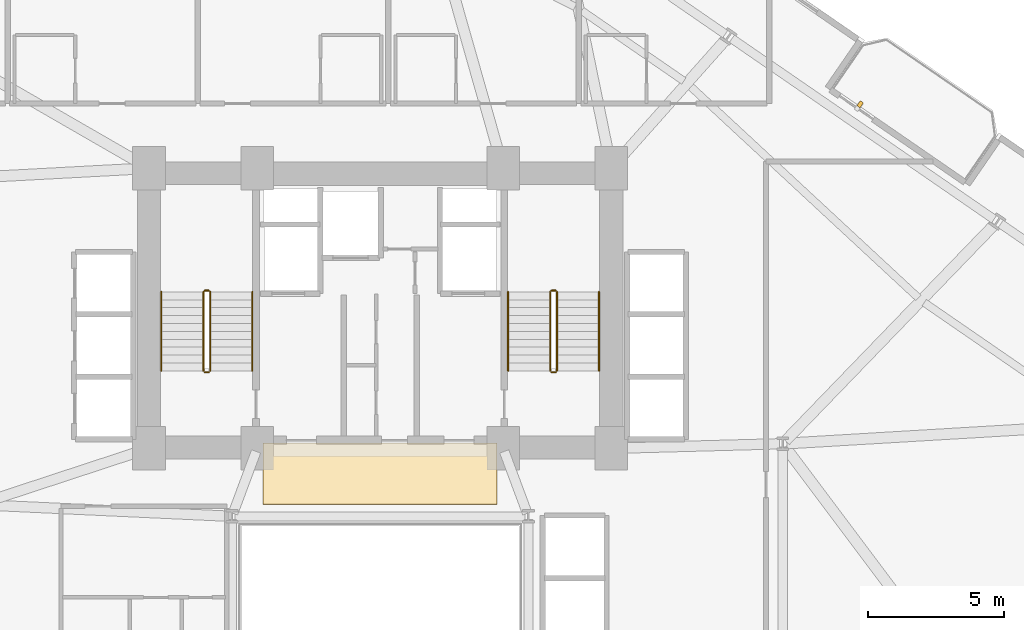
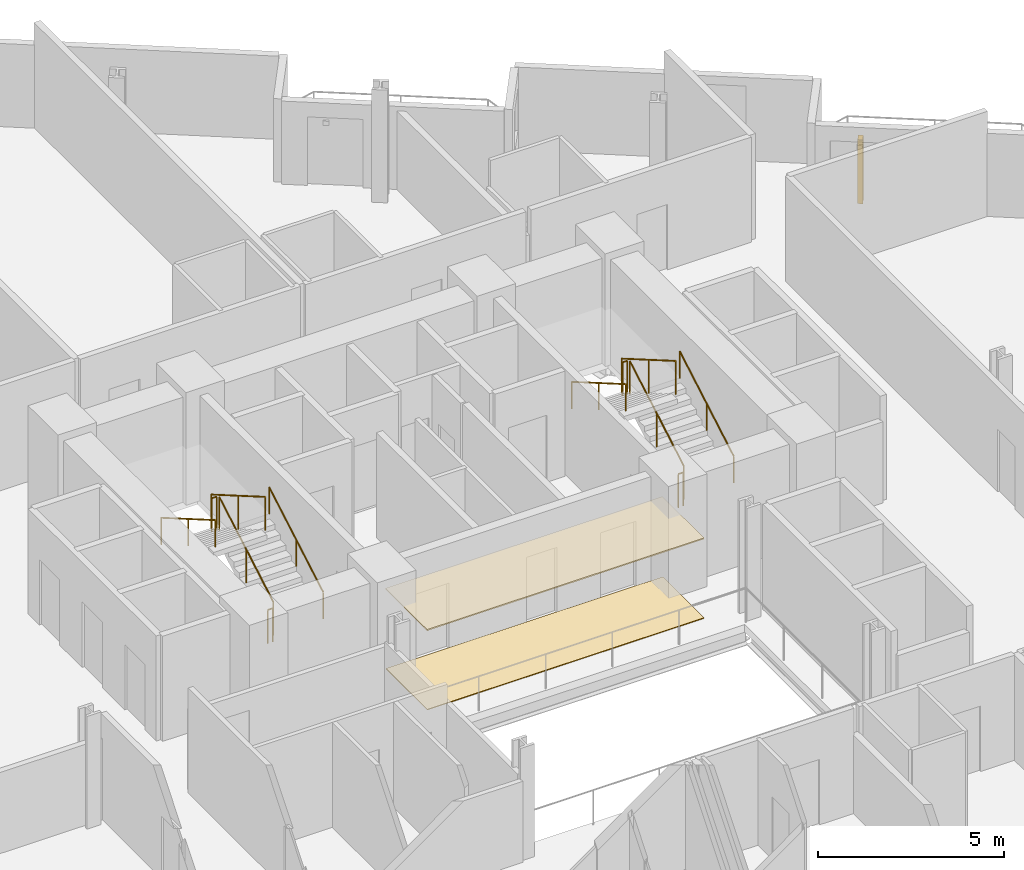
# One storey, part 26 of 27: 12 railings, 2 coverings, 1 shading device.
"""IFC4 building model written with IfcOpenShell, lengths in metres."""

from ifc_helpers import new_model, si_unit, direction, frame, origin, origin_2d, place, context, subcontext, project, spatial, rectangle, circle, extrude, source, transform, mapped, material, layer, layer_set, type_object, element, save


model = new_model("IFC4")

# Units and contexts
model_context = context("Model", 3, precision=1e-05, world=origin(), true_north=direction((0.0, 1.0)))
body_context = subcontext(model_context, "Body", "Model", "MODEL_VIEW")
ifc_project = project(units=[si_unit("LENGTHUNIT", "METRE"), si_unit("AREAUNIT", "SQUARE_METRE"), si_unit("VOLUMEUNIT", "CUBIC_METRE"), si_unit("PLANEANGLEUNIT", "RADIAN"), si_unit("MASSUNIT", "GRAM", prefix="KILO")], contexts=[model_context])

# Site, building, storey
site_placement = place(None, origin())
site = spatial("IfcSite", under=ifc_project, at=site_placement, CompositionType="ELEMENT")
building_placement = place(site_placement, origin())
building = spatial("IfcBuilding", under=site, at=building_placement, Name="Varnelok Gate Tower", CompositionType="ELEMENT")
storey_placement = place(building_placement, frame((0.0, 0.0, 30.699951171875)))
storey = spatial("IfcBuildingStorey", under=building, at=storey_placement, Name="L06", CompositionType="ELEMENT", Elevation=30.699951171875)

# Railings
ifc_material_1 = material(Name="Brushed Stainless Steel AISI 316", Category="steel")
railing_type_1 = type_object("IfcRailingType", Name="RL-HANDRAIL-900", PredefinedType="HANDRAIL", material=ifc_material_1)
railing_1_placement = place(storey_placement, frame((34.5, 31.60009765625, 0.168212890625)))
element("IfcRailing", 1, at=railing_1_placement, inside=storey, type_object=railing_type_1, Name="L06 ST-1 stair handrail 1", PredefinedType="HANDRAIL", context=body_context, shape_type="SweptSolid", body=[
    extrude(circle(Radius=0.02392578125, at=origin_2d()), frame((0.0, 0.0, 0.8759765625), z_axis=(0.0, 0.865038774852, 0.501705010941), x_axis=(-1.0, 0.0, 0.0)), (0.0, 0.0, 1.0), 3.352294921875),
    extrude(circle(Radius=0.02099609375, at=origin_2d()), origin(), (0.0, 0.0, 1.0), 0.851806640625),
    extrude(circle(Radius=0.02099609375, at=origin_2d()), frame((0.0, 1.449951171875, 0.8408203125)), (0.0, 0.0, 1.0), 0.851806640625),
    extrude(circle(Radius=0.02099609375, at=origin_2d()), frame((0.0, 2.89990234375, 1.681884765625)), (0.0, 0.0, 1.0), 0.851806640625),
])
railing_2_placement = place(storey_placement, frame((31.14990234375, 34.5, 2.018310546875)))
element("IfcRailing", 2, at=railing_2_placement, inside=storey, type_object=railing_type_1, Name="L06 ST-1 stair handrail 2", PredefinedType="HANDRAIL", context=body_context, shape_type="SweptSolid", body=[
    extrude(circle(Radius=0.02392578125, at=origin_2d()), frame((0.0, 0.0, 0.8759765625), z_axis=(0.0, -0.86507038078, 0.501650512107), x_axis=(1.0, 0.0, 0.0)), (0.0, 0.0, 1.0), 3.352294921875),
    extrude(circle(Radius=0.02099609375, at=origin_2d()), origin(), (0.0, 0.0, 1.0), 0.851806640625),
    extrude(circle(Radius=0.02099609375, at=origin_2d()), frame((0.0, -1.449951171875, 0.8408203125)), (0.0, 0.0, 1.0), 0.851806640625),
    extrude(circle(Radius=0.02099609375, at=origin_2d()), frame((0.0, -2.89990234375, 1.681640625)), (0.0, 0.0, 1.0), 0.851806640625),
])
railing_3_placement = place(storey_placement, frame((47.25, 31.60009765625, 0.168212890625)))
element("IfcRailing", 3, at=railing_3_placement, inside=storey, type_object=railing_type_1, Name="L06 ST-2 stair handrail 1", PredefinedType="HANDRAIL", context=body_context, shape_type="SweptSolid", body=[
    extrude(circle(Radius=0.02392578125, at=origin_2d()), frame((0.0, 0.0, 0.8759765625), z_axis=(0.0, 0.865038774852, 0.501705010941), x_axis=(-1.0, 0.0, 0.0)), (0.0, 0.0, 1.0), 3.352294921875),
    extrude(circle(Radius=0.02099609375, at=origin_2d()), origin(), (0.0, 0.0, 1.0), 0.851806640625),
    extrude(circle(Radius=0.02099609375, at=origin_2d()), frame((0.0, 1.449951171875, 0.8408203125)), (0.0, 0.0, 1.0), 0.851806640625),
    extrude(circle(Radius=0.02099609375, at=origin_2d()), frame((0.0, 2.89990234375, 1.681884765625)), (0.0, 0.0, 1.0), 0.851806640625),
])
railing_4_placement = place(storey_placement, frame((43.89990234375, 34.5, 2.018310546875)))
element("IfcRailing", 4, at=railing_4_placement, inside=storey, type_object=railing_type_1, Name="L06 ST-2 stair handrail 2", PredefinedType="HANDRAIL", context=body_context, shape_type="SweptSolid", body=[
    extrude(circle(Radius=0.02392578125, at=origin_2d()), frame((0.0, 0.0, 0.8759765625), z_axis=(0.0, -0.86507038078, 0.501650512107), x_axis=(1.0, 0.0, 0.0)), (0.0, 0.0, 1.0), 3.352294921875),
    extrude(circle(Radius=0.02099609375, at=origin_2d()), origin(), (0.0, 0.0, 1.0), 0.851806640625),
    extrude(circle(Radius=0.02099609375, at=origin_2d()), frame((0.0, -1.449951171875, 0.8408203125)), (0.0, 0.0, 1.0), 0.851806640625),
    extrude(circle(Radius=0.02099609375, at=origin_2d()), frame((0.0, -2.89990234375, 1.681640625)), (0.0, 0.0, 1.0), 0.851806640625),
])
ifc_material_2 = material(Name="Galvanized Steel Grade S350GD", Category="steel")
railing_type_2 = type_object("IfcRailingType", Name="RL-STAIR-GUARD1120", PredefinedType="GUARDRAIL", material=ifc_material_2)
railing_5_placement = place(storey_placement, frame((32.949951171875, 31.60009765625, 0.168212890625)))
element("IfcRailing", 5, at=railing_5_placement, inside=storey, type_object=railing_type_2, Name="L06 ST-1 stair guard 1", PredefinedType="GUARDRAIL", context=body_context, shape_type="SweptSolid", body=[
    extrude(circle(Radius=0.02392578125, at=origin_2d()), frame((0.0, 0.0, 1.09619140625), z_axis=(0.0, 0.865038774852, 0.501705010941), x_axis=(-1.0, 0.0, 0.0)), (0.0, 0.0, 1.0), 3.352294921875),
    extrude(circle(Radius=0.02099609375, at=origin_2d()), origin(), (0.0, 0.0, 1.0), 1.072021484375),
    extrude(circle(Radius=0.02099609375, at=origin_2d()), frame((0.0, 1.449951171875, 0.8408203125)), (0.0, 0.0, 1.0), 1.072021484375),
    extrude(circle(Radius=0.02099609375, at=origin_2d()), frame((0.0, 2.89990234375, 1.681884765625)), (0.0, 0.0, 1.0), 1.072021484375),
])
railing_6_placement = place(storey_placement, frame((32.89990234375, 34.550048828125, 1.85009765625)))
element("IfcRailing", 6, at=railing_6_placement, inside=storey, type_object=railing_type_2, Name="L06 ST-1 stair guard 2", PredefinedType="GUARDRAIL", context=body_context, shape_type="SweptSolid", body=[
    extrude(circle(Radius=0.02392578125, at=origin_2d()), frame((0.0, 0.0, 1.09619140625), z_axis=(-1.0, 0.0, 0.0), x_axis=(0.0, -1.0, 0.0)), (0.0, 0.0, 1.0), 0.14990234375),
    extrude(circle(Radius=0.02099609375, at=origin_2d()), origin(), (0.0, 0.0, 1.0), 1.072021484375),
    extrude(circle(Radius=0.02099609375, at=origin_2d()), frame((-0.14990234375, 0.0, 0.0)), (0.0, 0.0, 1.0), 1.072021484375),
])
railing_7_placement = place(storey_placement, frame((32.699951171875, 34.5, 2.018310546875)))
element("IfcRailing", 7, at=railing_7_placement, inside=storey, type_object=railing_type_2, Name="L06 ST-1 stair guard 3", PredefinedType="GUARDRAIL", context=body_context, shape_type="SweptSolid", body=[
    extrude(circle(Radius=0.02392578125, at=origin_2d()), frame((0.0, 0.0, 1.09619140625), z_axis=(0.0, -0.86507038078, 0.501650512107), x_axis=(1.0, 0.0, 0.0)), (0.0, 0.0, 1.0), 3.352294921875),
    extrude(circle(Radius=0.02099609375, at=origin_2d()), origin(), (0.0, 0.0, 1.0), 1.072021484375),
    extrude(circle(Radius=0.02099609375, at=origin_2d()), frame((0.0, -1.449951171875, 0.8408203125)), (0.0, 0.0, 1.0), 1.072021484375),
    extrude(circle(Radius=0.02099609375, at=origin_2d()), frame((0.0, -2.89990234375, 1.681640625)), (0.0, 0.0, 1.0), 1.072021484375),
])
railing_8_placement = place(storey_placement, frame((32.89990234375, 31.550048828125, 0.0)))
element("IfcRailing", 8, at=railing_8_placement, inside=storey, type_object=railing_type_2, Name="L06 ST-1 stair guard 4", PredefinedType="GUARDRAIL", context=body_context, shape_type="SweptSolid", body=[
    extrude(circle(Radius=0.02392578125, at=origin_2d()), frame((0.0, 0.0, 1.09619140625), z_axis=(-1.0, 0.0, 0.0), x_axis=(0.0, -1.0, 0.0)), (0.0, 0.0, 1.0), 0.14990234375),
    extrude(circle(Radius=0.02099609375, at=origin_2d()), origin(), (0.0, 0.0, 1.0), 1.072021484375),
    extrude(circle(Radius=0.02099609375, at=origin_2d()), frame((-0.14990234375, 0.0, 0.0)), (0.0, 0.0, 1.0), 1.072021484375),
])
railing_9_placement = place(storey_placement, frame((45.699951171875, 31.60009765625, 0.168212890625)))
element("IfcRailing", 9, at=railing_9_placement, inside=storey, type_object=railing_type_2, Name="L06 ST-2 stair guard 1", PredefinedType="GUARDRAIL", context=body_context, shape_type="SweptSolid", body=[
    extrude(circle(Radius=0.02392578125, at=origin_2d()), frame((0.0, 0.0, 1.09619140625), z_axis=(0.0, 0.865038774852, 0.501705010941), x_axis=(-1.0, 0.0, 0.0)), (0.0, 0.0, 1.0), 3.352294921875),
    extrude(circle(Radius=0.02099609375, at=origin_2d()), origin(), (0.0, 0.0, 1.0), 1.072021484375),
    extrude(circle(Radius=0.02099609375, at=origin_2d()), frame((0.0, 1.449951171875, 0.8408203125)), (0.0, 0.0, 1.0), 1.072021484375),
    extrude(circle(Radius=0.02099609375, at=origin_2d()), frame((0.0, 2.89990234375, 1.681884765625)), (0.0, 0.0, 1.0), 1.072021484375),
])
railing_10_placement = place(storey_placement, frame((45.64990234375, 34.550048828125, 1.85009765625)))
element("IfcRailing", 10, at=railing_10_placement, inside=storey, type_object=railing_type_2, Name="L06 ST-2 stair guard 2", PredefinedType="GUARDRAIL", context=body_context, shape_type="SweptSolid", body=[
    extrude(circle(Radius=0.02392578125, at=origin_2d()), frame((0.0, 0.0, 1.09619140625), z_axis=(-1.0, 0.0, 0.0), x_axis=(0.0, -1.0, 0.0)), (0.0, 0.0, 1.0), 0.14990234375),
    extrude(circle(Radius=0.02099609375, at=origin_2d()), origin(), (0.0, 0.0, 1.0), 1.072021484375),
    extrude(circle(Radius=0.02099609375, at=origin_2d()), frame((-0.14990234375, 0.0, 0.0)), (0.0, 0.0, 1.0), 1.072021484375),
])
railing_11_placement = place(storey_placement, frame((45.449951171875, 34.5, 2.018310546875)))
element("IfcRailing", 11, at=railing_11_placement, inside=storey, type_object=railing_type_2, Name="L06 ST-2 stair guard 3", PredefinedType="GUARDRAIL", context=body_context, shape_type="SweptSolid", body=[
    extrude(circle(Radius=0.02392578125, at=origin_2d()), frame((0.0, 0.0, 1.09619140625), z_axis=(0.0, -0.86507038078, 0.501650512107), x_axis=(1.0, 0.0, 0.0)), (0.0, 0.0, 1.0), 3.352294921875),
    extrude(circle(Radius=0.02099609375, at=origin_2d()), origin(), (0.0, 0.0, 1.0), 1.072021484375),
    extrude(circle(Radius=0.02099609375, at=origin_2d()), frame((0.0, -1.449951171875, 0.8408203125)), (0.0, 0.0, 1.0), 1.072021484375),
    extrude(circle(Radius=0.02099609375, at=origin_2d()), frame((0.0, -2.89990234375, 1.681640625)), (0.0, 0.0, 1.0), 1.072021484375),
])
railing_12_placement = place(storey_placement, frame((45.64990234375, 31.550048828125, 0.0)))
element("IfcRailing", 12, at=railing_12_placement, inside=storey, type_object=railing_type_2, Name="L06 ST-2 stair guard 4", PredefinedType="GUARDRAIL", context=body_context, shape_type="SweptSolid", body=[
    extrude(circle(Radius=0.02392578125, at=origin_2d()), frame((0.0, 0.0, 1.09619140625), z_axis=(-1.0, 0.0, 0.0), x_axis=(0.0, -1.0, 0.0)), (0.0, 0.0, 1.0), 0.14990234375),
    extrude(circle(Radius=0.02099609375, at=origin_2d()), origin(), (0.0, 0.0, 1.0), 1.072021484375),
    extrude(circle(Radius=0.02099609375, at=origin_2d()), frame((-0.14990234375, 0.0, 0.0)), (0.0, 0.0, 1.0), 1.072021484375),
])

# Shading device
ifc_material_3 = material(Name="Glazed Architectural Terracotta Ceramic", Category="masonry")
shading_device_type = type_object("IfcShadingDeviceType", Name="SHD-TERRA-BAGUETTE", PredefinedType="USERDEFINED", material=ifc_material_3)
shared_shape_1 = source(origin(), body_context, "Body", "SweptSolid", [
    extrude(rectangle(XDim=0.139892578125, YDim=0.219970703125, at=origin_2d()), origin(), (0.0, 0.0, 1.0), 2.10009765625),
])
shading_device_placement = place(storey_placement, frame((56.847412109375, 41.400390625, 0.10009765625), z_axis=(0.0, 0.0, 1.0), x_axis=(0.823532597628, -0.567268949127, 0.0)))
element("IfcShadingDevice", 13, at=shading_device_placement, inside=storey, type_object=shading_device_type, Name="L06 Terracotta Ceramic Baguette Sunscreen 4.1", ObjectType="BAGUETTE", PredefinedType="USERDEFINED", context=body_context, shape_type="MappedRepresentation", body=[
    mapped(shared_shape_1, transform((0.0, 0.0, 0.0), scale=1.0)),
])

# Coverings
ifc_material_4 = material(Name="Honed Travertine Stone Flooring", Category="masonry")
ifc_layer_1 = layer(ifc_material_4, 0.02490234375)
ifc_layer_set_1 = layer_set([ifc_layer_1], Name="Honed Travertine Stone Flooring")
covering_type_1 = type_object("IfcCoveringType", Name="COV-FLOR-STONE", PredefinedType="FLOORING", material=ifc_layer_set_1)
shared_shape_2 = source(origin(), body_context, "Body", "SweptSolid", [
    extrude(rectangle(XDim=8.60009765625, YDim=2.219970703125, at=origin_2d()), origin(), (0.0, 0.0, 1.0), 0.02490234375),
])
covering_1_placement = place(storey_placement, frame((39.199951171875, 27.800048828125, 0.0), z_axis=(0.0, 0.0, 1.0), x_axis=(1.0, 0.0, 0.0)))
element("IfcCovering", 14, at=covering_1_placement, inside=storey, type_object=covering_type_1, Name="L06 Core Gallery Stone Flooring", PredefinedType="FLOORING", context=body_context, shape_type="MappedRepresentation", body=[
    mapped(shared_shape_2, transform((0.0, 0.0, 0.0), scale=1.0)),
])
ifc_material_5 = material(Name="Mineral Fiber Acoustic Ceiling Tile")
ifc_layer_2 = layer(ifc_material_5, 0.0400390625)
ifc_layer_set_2 = layer_set([ifc_layer_2], Name="Mineral Fiber Acoustic Ceiling Tile")
covering_type_2 = type_object("IfcCoveringType", Name="COV-CEIL-ACOUST", PredefinedType="CEILING", material=ifc_layer_set_2)
shared_shape_3 = source(origin(), body_context, "Body", "SweptSolid", [
    extrude(rectangle(XDim=8.60009765625, YDim=2.239990234375, at=origin_2d()), origin(), (0.0, 0.0, 1.0), 0.0400390625),
])
covering_2_placement = place(storey_placement, frame((39.199951171875, 27.820068359375, 2.60009765625), z_axis=(0.0, 0.0, 1.0), x_axis=(1.0, 0.0, 0.0)))
element("IfcCovering", 15, at=covering_2_placement, inside=storey, type_object=covering_type_2, Name="L06 Core Gallery Acoustic Ceiling", PredefinedType="CEILING", context=body_context, shape_type="MappedRepresentation", body=[
    mapped(shared_shape_3, transform((0.0, 0.0, 0.0), scale=1.0)),
])

save(model, "model.ifc")
